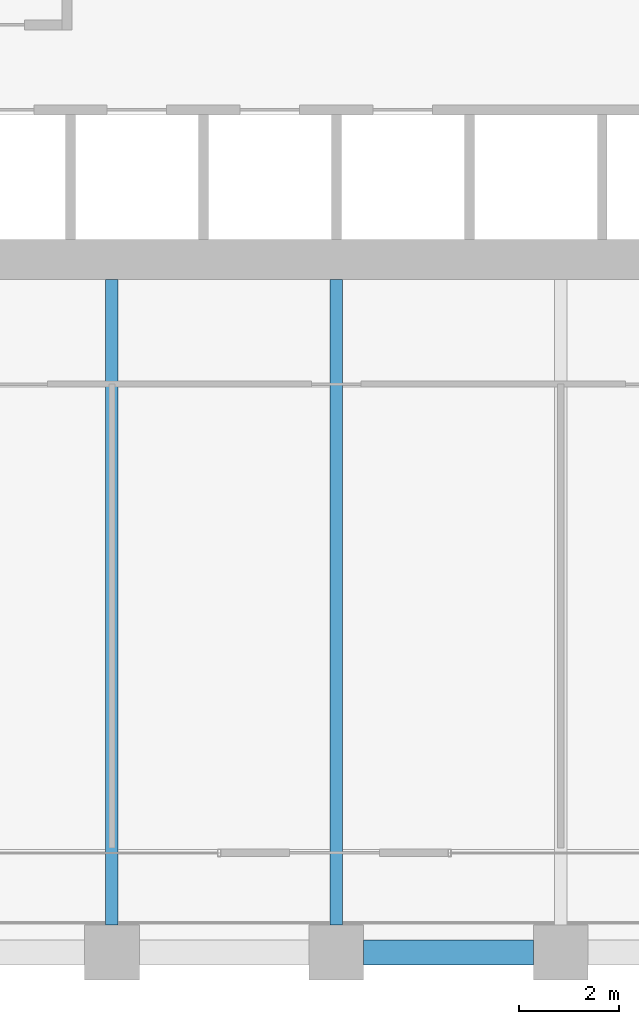
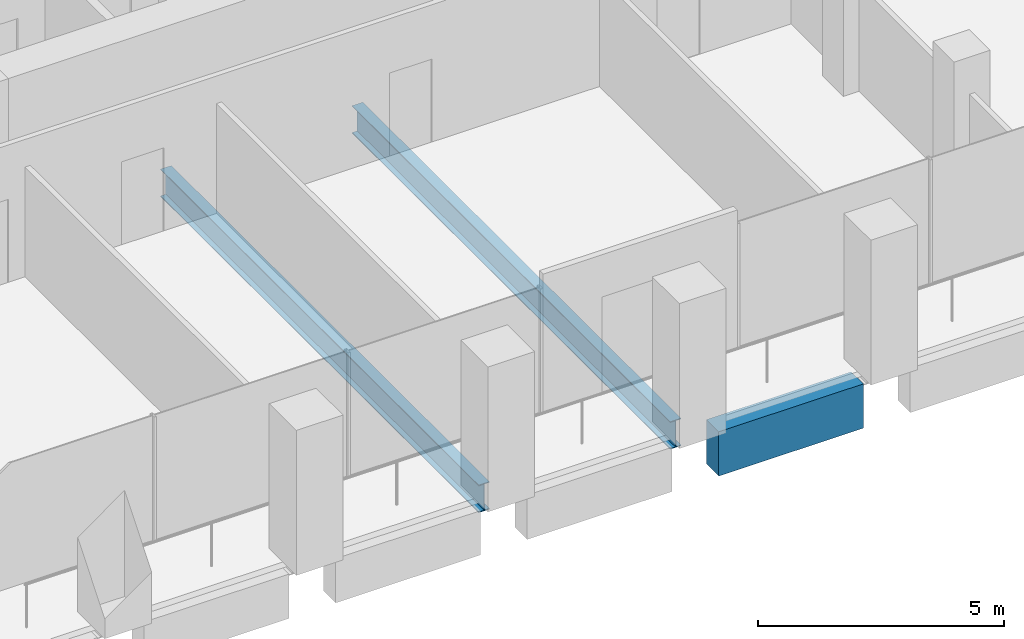
# One storey, part 8 of 56: 3 beams.
"""IFC4 building model written with IfcOpenShell, lengths in metres."""

from ifc_helpers import new_model, si_unit, direction, frame, origin, origin_2d, place, context, subcontext, project, spatial, rectangle, i_section, extrude, material, material_profile, profile_set, type_object, element, save


model = new_model("IFC4")

# Units and contexts
model_context = context("Model", 3, precision=1e-05, world=origin(), true_north=direction((0.0, 1.0)))
body_context = subcontext(model_context, "Body", "Model", "MODEL_VIEW")
ifc_project = project(units=[si_unit("LENGTHUNIT", "METRE"), si_unit("AREAUNIT", "SQUARE_METRE"), si_unit("VOLUMEUNIT", "CUBIC_METRE"), si_unit("PLANEANGLEUNIT", "RADIAN"), si_unit("MASSUNIT", "GRAM", prefix="KILO")], contexts=[model_context])

# Site, building, storey
site_placement = place(None, origin())
site = spatial("IfcSite", under=ifc_project, at=site_placement, CompositionType="ELEMENT")
building_placement = place(site_placement, origin())
building = spatial("IfcBuilding", under=site, at=building_placement, Name="Altepetl Exchange Towers", CompositionType="ELEMENT")
storey_placement = place(building_placement, frame((0.0, 0.0, 51.0)))
storey = spatial("IfcBuildingStorey", under=building, at=storey_placement, Name="L11", CompositionType="ELEMENT", Elevation=51.0)

# Beams
ifc_material_1 = material(Name="Steel S355", Category="steel")
ifc_material_profile_1 = material_profile(ifc_material_1, i_section(OverallWidth=0.25390625, OverallDepth=0.68408203125, WebThickness=0.012451171875, FlangeThickness=0.018798828125, at=origin_2d()), Name="W27X94")
ifc_profile_set_1 = profile_set([ifc_material_profile_1], Name="Steel S355")
beam_type_1 = type_object("IfcBeamType", Name="Floor beam W27X94", PredefinedType="BEAM", material=ifc_profile_set_1)
for number, where, z_axis, x_axis, name in (
    (1, (45.0, 27.550048828125, -0.491943359375), (0.0, 1.0, 0.0), (-1.0, 0.0, 0.0), "bm:A:L11:015"),
    (2, (49.5, 27.550048828125, -0.491943359375), (0.0, 1.0, 0.0), (-1.0, 0.0, 0.0), "bm:A:L11:016"),
):
    element("IfcBeam", number, at=place(storey_placement, frame(where, z_axis=z_axis, x_axis=x_axis)), inside=storey, type_object=beam_type_1, Name=name, PredefinedType="BEAM", context=body_context, shape_type="SweptSolid", body=[
        extrude(i_section(OverallWidth=0.25390625, OverallDepth=0.68408203125, WebThickness=0.012451171875, FlangeThickness=0.018798828125, at=origin_2d()), origin(), (0.0, 0.0, 1.0), 12.949951171875),
    ])
ifc_material_2 = material(Name="Concrete C50/60 precast with cantera blanca facing", Category="concrete")
ifc_material_profile_2 = material_profile(ifc_material_2, rectangle(XDim=0.5, YDim=1.10009765625, at=origin_2d()), Name="500 x 1100")
ifc_profile_set_2 = profile_set([ifc_material_profile_2], Name="Concrete C50/60 precast with cantera blanca facing")
beam_type_2 = type_object("IfcBeamType", Name="Spandrel beam 500x1100 cantera blanca", PredefinedType="SPANDREL", material=ifc_profile_set_2)
beam_placement = place(storey_placement, frame((50.050048828125, 27.0, -0.699951171875), z_axis=(1.0, 0.0, 0.0), x_axis=(0.0, 1.0, 0.0)))
element("IfcBeam", 3, at=beam_placement, inside=storey, type_object=beam_type_2, Name="sp:A:L11:004", PredefinedType="SPANDREL", context=body_context, shape_type="SweptSolid", body=[
    extrude(rectangle(XDim=0.5, YDim=1.10009765625, at=origin_2d()), origin(), (0.0, 0.0, 1.0), 3.39990234375),
])

save(model, "model.ifc")
